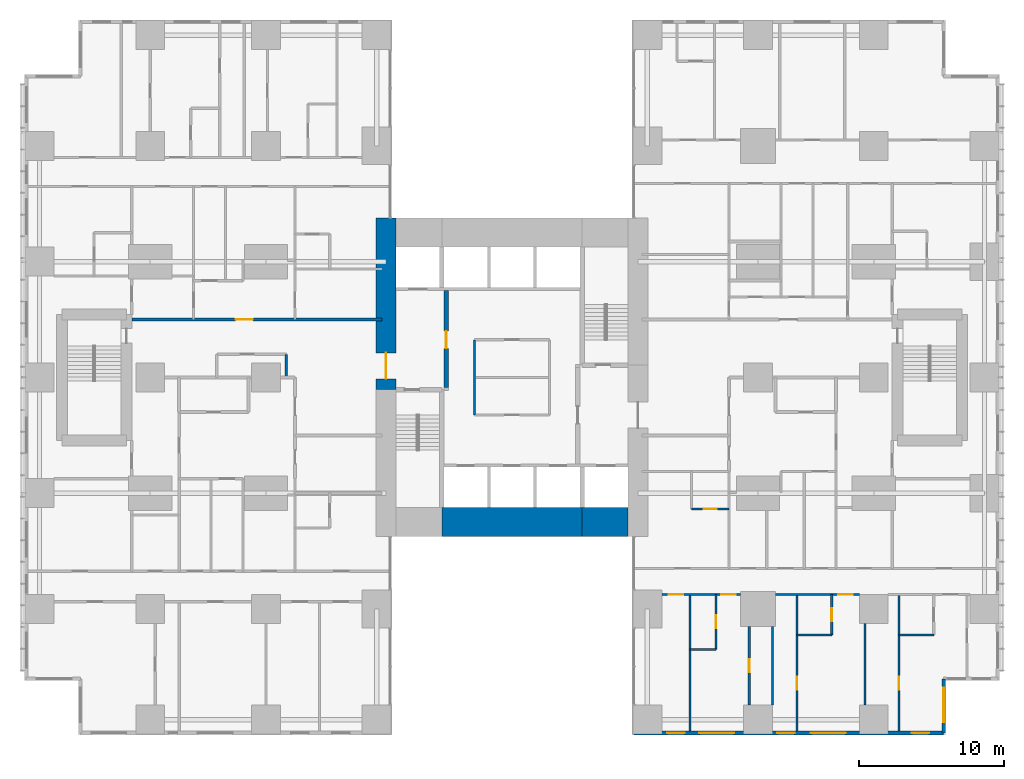
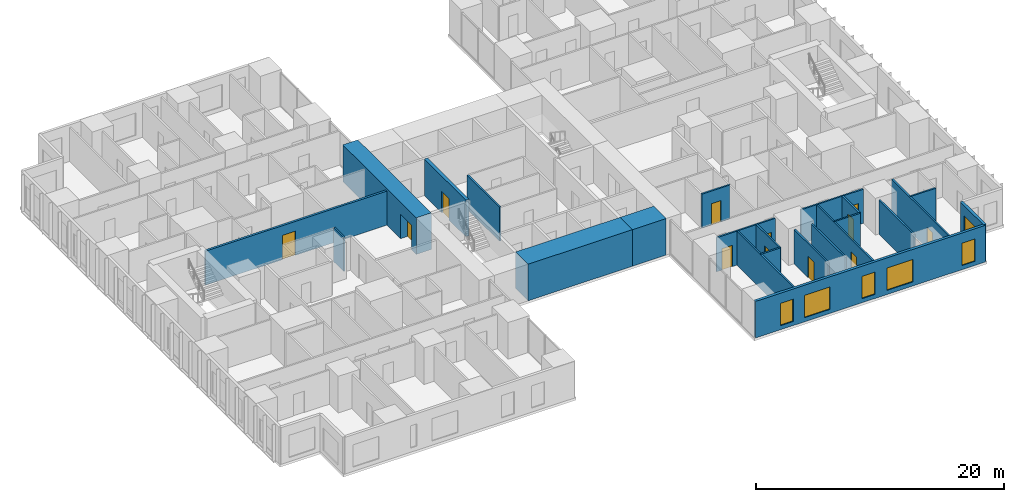
# One storey, part 14 of 21: 23 walls, 12 doors, 6 windows, 18 openings.
"""IFC4 building model written with IfcOpenShell, lengths in metres."""

from ifc_helpers import new_model, si_unit, direction, frame, frame_2d, origin, place, context, subcontext, project, spatial, rectangle, extrude, material, layer, layer_set, type_object, element, fill, save


model = new_model("IFC4")

# Units and contexts
model_context = context("Model", 3, precision=1e-05, world=origin(), true_north=direction((0.0, 1.0)))
body_context = subcontext(model_context, "Body", "Model", "MODEL_VIEW")
ifc_project = project(units=[si_unit("LENGTHUNIT", "METRE"), si_unit("AREAUNIT", "SQUARE_METRE"), si_unit("VOLUMEUNIT", "CUBIC_METRE"), si_unit("PLANEANGLEUNIT", "RADIAN"), si_unit("MASSUNIT", "GRAM", prefix="KILO")], contexts=[model_context])

# Site, building, storey
site_placement = place(None, origin())
site = spatial("IfcSite", under=ifc_project, at=site_placement, CompositionType="ELEMENT")
building_placement = place(site_placement, origin())
building = spatial("IfcBuilding", under=site, at=building_placement, Name="Cleftline Residences", CompositionType="ELEMENT")
storey_placement = place(building_placement, frame((0.0, 0.0, 128.60009765625)))
storey = spatial("IfcBuildingStorey", under=building, at=storey_placement, Name="L33", CompositionType="ELEMENT", Elevation=128.60009765625)

# Wall, opening, door
ifc_material_1 = material(Name="Concrete B70", Category="concrete")
ifc_layer_1 = layer(ifc_material_1, 1.39990234375)
ifc_layer_set_1 = layer_set([ifc_layer_1], Name="CORE WALL 1400")
wall_type_1 = type_object("IfcWallType", Name="CORE WALL 1400", PredefinedType="SHEAR", material=ifc_layer_set_1)
wall_1_placement = place(storey_placement, frame((24.300048828125, 23.14990234375, 0.0), z_axis=(0.0, 0.0, 1.0), x_axis=(0.0, 1.0, 0.0)))
wall_1 = element("IfcWall", 1, at=wall_1_placement, inside=storey, type_object=wall_type_1, Name="Core wall W", PredefinedType="SHEAR", context=body_context, shape_type="SweptSolid", body=[
    extrude(rectangle(XDim=11.85009765625, YDim=1.39990234375, at=frame_2d((5.925048828125, 0.0))), origin(), (0.0, 0.0, 1.0), 3.599853515625),
])
opening_1_placement = place(wall_1_placement, frame((0.75, 0.0, 0.0)))
opening_1 = element("IfcOpeningElement", 2, at=opening_1_placement, cuts=wall_1, Name="Opening D7", PredefinedType="OPENING", context=body_context, shape_type="SweptSolid", body=[
    extrude(rectangle(XDim=1.800048828125, YDim=2.39990234375, at=frame_2d((0.89990234375, 1.199951171875))), frame((0.0, 0.7099609375, 0.0), z_axis=(0.0, -1.0, 0.0), x_axis=(1.0, 0.0, 0.0)), (0.0, 0.0, 1.0), 1.419921875),
])
ifc_material_2 = material(Name="Steel", Category="steel")
door_type_1 = type_object("IfcDoorType", Name="WING DOOR 1800X2400", OperationType="DOUBLE_DOOR_DOUBLE_SWING", PredefinedType="DOOR", material=ifc_material_2)
door_1_placement = place(opening_1_placement, origin())
door_1 = element("IfcDoor", 3, at=door_1_placement, inside=storey, type_object=door_type_1, Name="West wing door", OperationType="DOUBLE_DOOR_DOUBLE_SWING", OverallHeight=2.39990234375, OverallWidth=1.800048828125, PredefinedType="DOOR", context=body_context, shape_type="SweptSolid", body=[
    extrude(rectangle(XDim=1.800048828125, YDim=2.39990234375, at=frame_2d((0.89990234375, 1.199951171875))), frame((0.0, 0.02490234375, 0.0), z_axis=(0.0, -1.0, 0.0), x_axis=(1.0, 0.0, 0.0)), (0.0, 0.0, 1.0), 0.050048828125),
])
fill(opening_1, door_1)

# Walls
ifc_material_3 = material(Name="Concrete B70", Category="concrete")
ifc_layer_2 = layer(ifc_material_3, 2.0)
ifc_layer_set_2 = layer_set([ifc_layer_2], Name="CORE WALL 2000")
wall_type_2 = type_object("IfcWallType", Name="CORE WALL 2000", PredefinedType="SHEAR", material=ifc_layer_set_2)
wall_2_placement = place(storey_placement, frame((28.14990234375, 14.0, 0.0), z_axis=(0.0, 0.0, 1.0), x_axis=(1.0, 0.0, 0.0)))
element("IfcWall", 4, at=wall_2_placement, inside=storey, type_object=wall_type_2, Name="Core wall S2", PredefinedType="SHEAR", context=body_context, shape_type="SweptSolid", body=[
    extrude(rectangle(XDim=9.7001953125, YDim=2.0, at=frame_2d((4.85009765625, 0.0))), origin(), (0.0, 0.0, 1.0), 3.599853515625),
])
wall_3_placement = place(storey_placement, frame((37.85009765625, 14.0, 0.0), z_axis=(0.0, 0.0, 1.0), x_axis=(1.0, 0.0, 0.0)))
element("IfcWall", 5, at=wall_3_placement, inside=storey, type_object=wall_type_2, Name="Core wall S3", PredefinedType="SHEAR", context=body_context, shape_type="SweptSolid", body=[
    extrude(rectangle(XDim=3.14990234375, YDim=2.0, at=frame_2d((1.574951171875, 0.0))), origin(), (0.0, 0.0, 1.0), 3.599853515625),
])

# Wall, openings, windows
ifc_material_4 = material(Name="Rendered reinforced concrete blockwork", Category="masonry")
ifc_layer_3 = layer(ifc_material_4, 0.25)
ifc_layer_set_3 = layer_set([ifc_layer_3], Name="EXTERNAL WALL 250")
wall_type_3 = type_object("IfcWallType", Name="EXTERNAL WALL 250", PredefinedType="SOLIDWALL", material=ifc_layer_set_3)
wall_4_placement = place(storey_placement, frame((41.425048828125, -0.574951171875, 0.0), z_axis=(0.0, 0.0, 1.0), x_axis=(1.0, 0.0, 0.0)))
wall_4 = element("IfcWall", 6, at=wall_4_placement, inside=storey, type_object=wall_type_3, Name="External wall", PredefinedType="SOLIDWALL", context=body_context, shape_type="SweptSolid", body=[
    extrude(rectangle(XDim=21.39990234375, YDim=0.25, at=frame_2d((10.699951171875, 0.0))), origin(), (0.0, 0.0, 1.0), 3.599853515625),
])
opening_2_placement = place(wall_4_placement, frame((2.300048828125, 0.0, 0.39990234375)))
opening_2 = element("IfcOpeningElement", 7, at=opening_2_placement, cuts=wall_4, Name="Opening W11", PredefinedType="OPENING", context=body_context, shape_type="SweptSolid", body=[
    extrude(rectangle(XDim=1.199951171875, YDim=2.199951171875, at=frame_2d((0.60009765625, 1.10009765625))), frame((0.0, 0.135009765625, 0.0), z_axis=(0.0, -1.0, 0.0), x_axis=(1.0, 0.0, 0.0)), (0.0, 0.0, 1.0), 0.27001953125),
])
opening_3_placement = place(wall_4_placement, frame((4.52490234375, 0.0, 0.39990234375)))
opening_3 = element("IfcOpeningElement", 8, at=opening_3_placement, cuts=wall_4, Name="Opening W12", PredefinedType="OPENING", context=body_context, shape_type="SweptSolid", body=[
    extrude(rectangle(XDim=2.39990234375, YDim=2.199951171875, at=frame_2d((1.199951171875, 1.10009765625))), frame((0.0, 0.135009765625, 0.0), z_axis=(0.0, -1.0, 0.0), x_axis=(1.0, 0.0, 0.0)), (0.0, 0.0, 1.0), 0.27001953125),
])
opening_4_placement = place(wall_4_placement, frame((9.89990234375, 0.0, 0.39990234375)))
opening_4 = element("IfcOpeningElement", 9, at=opening_4_placement, cuts=wall_4, Name="Opening W11", PredefinedType="OPENING", context=body_context, shape_type="SweptSolid", body=[
    extrude(rectangle(XDim=1.199951171875, YDim=2.199951171875, at=frame_2d((0.60009765625, 1.10009765625))), frame((0.0, 0.135009765625, 0.0), z_axis=(0.0, -1.0, 0.0), x_axis=(1.0, 0.0, 0.0)), (0.0, 0.0, 1.0), 0.27001953125),
])
opening_5_placement = place(wall_4_placement, frame((12.22509765625, 0.0, 0.39990234375)))
opening_5 = element("IfcOpeningElement", 10, at=opening_5_placement, cuts=wall_4, Name="Opening W12", PredefinedType="OPENING", context=body_context, shape_type="SweptSolid", body=[
    extrude(rectangle(XDim=2.39990234375, YDim=2.199951171875, at=frame_2d((1.199951171875, 1.10009765625))), frame((0.0, 0.135009765625, 0.0), z_axis=(0.0, -1.0, 0.0), x_axis=(1.0, 0.0, 0.0)), (0.0, 0.0, 1.0), 0.27001953125),
])
opening_6_placement = place(wall_4_placement, frame((19.199951171875, 0.0, 0.39990234375)))
opening_6 = element("IfcOpeningElement", 11, at=opening_6_placement, cuts=wall_4, Name="Opening W11", PredefinedType="OPENING", context=body_context, shape_type="SweptSolid", body=[
    extrude(rectangle(XDim=1.199951171875, YDim=2.199951171875, at=frame_2d((0.60009765625, 1.10009765625))), frame((0.0, 0.135009765625, 0.0), z_axis=(0.0, -1.0, 0.0), x_axis=(1.0, 0.0, 0.0)), (0.0, 0.0, 1.0), 0.27001953125),
])
ifc_material_5 = material(Name="Aluminium frame, clear double glazing", Category="aluminium")
window_type_1 = type_object("IfcWindowType", Name="WINDOW 1200X2200", PartitioningType="DOUBLE_PANEL_VERTICAL", PredefinedType="WINDOW", material=ifc_material_5)
window_1_placement = place(opening_2_placement, origin())
window_1 = element("IfcWindow", 12, at=window_1_placement, inside=storey, type_object=window_type_1, Name="Window", OverallHeight=2.199951171875, OverallWidth=1.199951171875, PartitioningType="SINGLE_PANEL", PredefinedType="WINDOW", context=body_context, shape_type="SweptSolid", body=[
    extrude(rectangle(XDim=1.199951171875, YDim=2.199951171875, at=frame_2d((0.60009765625, 1.10009765625))), frame((0.0, 0.030029296875, 0.0), z_axis=(0.0, -1.0, 0.0), x_axis=(1.0, 0.0, 0.0)), (0.0, 0.0, 1.0), 0.06005859375),
])
fill(opening_2, window_1)
window_2_placement = place(opening_4_placement, origin())
window_2 = element("IfcWindow", 13, at=window_2_placement, inside=storey, type_object=window_type_1, Name="Window", OverallHeight=2.199951171875, OverallWidth=1.199951171875, PartitioningType="SINGLE_PANEL", PredefinedType="WINDOW", context=body_context, shape_type="SweptSolid", body=[
    extrude(rectangle(XDim=1.199951171875, YDim=2.199951171875, at=frame_2d((0.60009765625, 1.10009765625))), frame((0.0, 0.030029296875, 0.0), z_axis=(0.0, -1.0, 0.0), x_axis=(1.0, 0.0, 0.0)), (0.0, 0.0, 1.0), 0.06005859375),
])
fill(opening_4, window_2)
window_3_placement = place(opening_6_placement, origin())
window_3 = element("IfcWindow", 14, at=window_3_placement, inside=storey, type_object=window_type_1, Name="Window", OverallHeight=2.199951171875, OverallWidth=1.199951171875, PartitioningType="SINGLE_PANEL", PredefinedType="WINDOW", context=body_context, shape_type="SweptSolid", body=[
    extrude(rectangle(XDim=1.199951171875, YDim=2.199951171875, at=frame_2d((0.60009765625, 1.10009765625))), frame((0.0, 0.030029296875, 0.0), z_axis=(0.0, -1.0, 0.0), x_axis=(1.0, 0.0, 0.0)), (0.0, 0.0, 1.0), 0.06005859375),
])
fill(opening_6, window_3)
ifc_material_6 = material(Name="Aluminium frame, clear double glazing", Category="aluminium")
window_type_2 = type_object("IfcWindowType", Name="WINDOW 2400X2200", PartitioningType="DOUBLE_PANEL_VERTICAL", PredefinedType="WINDOW", material=ifc_material_6)
window_4_placement = place(opening_3_placement, origin())
window_4 = element("IfcWindow", 15, at=window_4_placement, inside=storey, type_object=window_type_2, Name="Window", OverallHeight=2.199951171875, OverallWidth=2.39990234375, PartitioningType="SINGLE_PANEL", PredefinedType="WINDOW", context=body_context, shape_type="SweptSolid", body=[
    extrude(rectangle(XDim=2.39990234375, YDim=2.199951171875, at=frame_2d((1.199951171875, 1.10009765625))), frame((0.0, 0.030029296875, 0.0), z_axis=(0.0, -1.0, 0.0), x_axis=(1.0, 0.0, 0.0)), (0.0, 0.0, 1.0), 0.06005859375),
])
fill(opening_3, window_4)
window_5_placement = place(opening_5_placement, origin())
window_5 = element("IfcWindow", 16, at=window_5_placement, inside=storey, type_object=window_type_2, Name="Window", OverallHeight=2.199951171875, OverallWidth=2.39990234375, PartitioningType="SINGLE_PANEL", PredefinedType="WINDOW", context=body_context, shape_type="SweptSolid", body=[
    extrude(rectangle(XDim=2.39990234375, YDim=2.199951171875, at=frame_2d((1.199951171875, 1.10009765625))), frame((0.0, 0.030029296875, 0.0), z_axis=(0.0, -1.0, 0.0), x_axis=(1.0, 0.0, 0.0)), (0.0, 0.0, 1.0), 0.06005859375),
])
fill(opening_5, window_5)

# Wall, opening, window
wall_5_placement = place(storey_placement, frame((62.824951171875, -0.574951171875, 0.0), z_axis=(0.0, 0.0, 1.0), x_axis=(0.0, 1.0, 0.0)))
wall_5 = element("IfcWall", 17, at=wall_5_placement, inside=storey, type_object=wall_type_3, Name="External wall", PredefinedType="SOLIDWALL", context=body_context, shape_type="SweptSolid", body=[
    extrude(rectangle(XDim=3.75, YDim=0.25, at=frame_2d((1.875, 0.0))), origin(), (0.0, 0.0, 1.0), 3.599853515625),
])
opening_7_placement = place(wall_5_placement, frame((0.737548828125, 0.0, 0.39990234375)))
opening_7 = element("IfcOpeningElement", 18, at=opening_7_placement, cuts=wall_5, Name="Opening W12", PredefinedType="OPENING", context=body_context, shape_type="SweptSolid", body=[
    extrude(rectangle(XDim=2.39990234375, YDim=2.199951171875, at=frame_2d((1.199951171875, 1.10009765625))), frame((0.0, 0.135009765625, 0.0), z_axis=(0.0, -1.0, 0.0), x_axis=(1.0, 0.0, 0.0)), (0.0, 0.0, 1.0), 0.27001953125),
])
window_6_placement = place(opening_7_placement, origin())
window_6 = element("IfcWindow", 19, at=window_6_placement, inside=storey, type_object=window_type_2, Name="Window", OverallHeight=2.199951171875, OverallWidth=2.39990234375, PartitioningType="SINGLE_PANEL", PredefinedType="WINDOW", context=body_context, shape_type="SweptSolid", body=[
    extrude(rectangle(XDim=2.39990234375, YDim=2.199951171875, at=frame_2d((1.199951171875, 1.10009765625))), frame((0.0, 0.030029296875, 0.0), z_axis=(0.0, -1.0, 0.0), x_axis=(1.0, 0.0, 0.0)), (0.0, 0.0, 1.0), 0.06005859375),
])
fill(opening_7, window_6)

# Wall, opening, door
ifc_material_7 = material(Name="Concrete blockwork, fire rated", Category="masonry")
ifc_layer_4 = layer(ifc_material_7, 0.199951171875)
ifc_layer_set_4 = layer_set([ifc_layer_4], Name="FIRE WALL 200")
wall_type_4 = type_object("IfcWallType", Name="FIRE WALL 200", PredefinedType="PARTITIONING", material=ifc_layer_set_4)
wall_6_placement = place(storey_placement, frame((6.72509765625, 28.0, 0.0), z_axis=(0.0, 0.0, 1.0), x_axis=(1.0, 0.0, 0.0)))
wall_6 = element("IfcWall", 20, at=wall_6_placement, inside=storey, type_object=wall_type_4, Name="Fire separating wall", PredefinedType="PARTITIONING", context=body_context, shape_type="SweptSolid", body=[
    extrude(rectangle(XDim=17.27490234375, YDim=0.199951171875, at=frame_2d((8.637451171875, 0.0))), origin(), (0.0, 0.0, 1.0), 3.349853515625),
])
opening_8_placement = place(wall_6_placement, frame((7.175048828125, 0.0, 0.0)))
opening_8 = element("IfcOpeningElement", 21, at=opening_8_placement, cuts=wall_6, Name="Opening D4", PredefinedType="OPENING", context=body_context, shape_type="SweptSolid", body=[
    extrude(rectangle(XDim=1.199951171875, YDim=2.39990234375, at=frame_2d((0.60009765625, 1.199951171875))), frame((0.0, 0.10986328125, 0.0), z_axis=(0.0, -1.0, 0.0), x_axis=(1.0, 0.0, 0.0)), (0.0, 0.0, 1.0), 0.219970703125),
])
ifc_material_8 = material(Name="Timber veneer on solid core", Category="wood")
door_type_2 = type_object("IfcDoorType", Name="APARTMENT ENTRANCE DOOR 1200X2400", OperationType="SINGLE_SWING_RIGHT", PredefinedType="DOOR", material=ifc_material_8)
door_2_placement = place(opening_8_placement, origin())
door_2 = element("IfcDoor", 22, at=door_2_placement, inside=storey, type_object=door_type_2, Name="Door to residence entrance (gallery)", OperationType="SINGLE_SWING_RIGHT", OverallHeight=2.39990234375, OverallWidth=1.199951171875, PredefinedType="DOOR", context=body_context, shape_type="SweptSolid", body=[
    extrude(rectangle(XDim=1.199951171875, YDim=2.39990234375, at=frame_2d((0.60009765625, 1.199951171875))), frame((0.0, 0.02490234375, 0.0), z_axis=(0.0, -1.0, 0.0), x_axis=(1.0, 0.0, 0.0)), (0.0, 0.0, 1.0), 0.050048828125),
])
fill(opening_8, door_2)

# Walls
ifc_material_9 = material(Name="Gypsum board on steel studs", Category="steel")
ifc_layer_5 = layer(ifc_material_9, 0.14990234375)
ifc_layer_set_5 = layer_set([ifc_layer_5], Name="PARTITION 150")
wall_type_5 = type_object("IfcWallType", Name="PARTITION 150", PredefinedType="PARTITIONING", material=ifc_layer_set_5)
wall_7_placement = place(storey_placement, frame((45.300048828125, 5.199951171875, 0.0), z_axis=(0.0, 0.0, 1.0), x_axis=(1.0, 0.0, 0.0)))
element("IfcWall", 23, at=wall_7_placement, inside=storey, type_object=wall_type_5, Name="Partition", PredefinedType="PARTITIONING", context=body_context, shape_type="SweptSolid", body=[
    extrude(rectangle(XDim=1.800048828125, YDim=0.14990234375, at=frame_2d((0.89990234375, 0.0))), origin(), (0.0, 0.0, 1.0), 3.349853515625),
])
wall_8_placement = place(storey_placement, frame((52.699951171875, 6.199951171875, 0.0), z_axis=(0.0, 0.0, 1.0), x_axis=(1.0, 0.0, 0.0)))
element("IfcWall", 24, at=wall_8_placement, inside=storey, type_object=wall_type_5, Name="Partition", PredefinedType="PARTITIONING", context=body_context, shape_type="SweptSolid", body=[
    extrude(rectangle(XDim=2.400146484375, YDim=0.14990234375, at=frame_2d((1.2001953125, 0.0))), origin(), (0.0, 0.0, 1.0), 3.349853515625),
])
wall_9_placement = place(storey_placement, frame((59.75, 6.199951171875, 0.0), z_axis=(0.0, 0.0, 1.0), x_axis=(1.0, 0.0, 0.0)))
element("IfcWall", 25, at=wall_9_placement, inside=storey, type_object=wall_type_5, Name="Partition", PredefinedType="PARTITIONING", context=body_context, shape_type="SweptSolid", body=[
    extrude(rectangle(XDim=2.39990234375, YDim=0.14990234375, at=frame_2d((1.199951171875, 0.0))), origin(), (0.0, 0.0, 1.0), 3.349853515625),
])

# Wall, openings, doors
wall_10_placement = place(storey_placement, frame((43.35009765625, 9.0, 0.0), z_axis=(0.0, 0.0, 1.0), x_axis=(1.0, 0.0, 0.0)))
wall_10 = element("IfcWall", 26, at=wall_10_placement, inside=storey, type_object=wall_type_5, Name="Partition", PredefinedType="PARTITIONING", context=body_context, shape_type="SweptSolid", body=[
    extrude(rectangle(XDim=5.449951171875, YDim=0.14990234375, at=frame_2d((2.72509765625, 0.0))), origin(), (0.0, 0.0, 1.0), 3.349853515625),
])
opening_9_placement = place(wall_10_placement, frame((4.10009765625, 0.0, 0.0)))
opening_9 = element("IfcOpeningElement", 27, at=opening_9_placement, cuts=wall_10, Name="Opening D2", PredefinedType="OPENING", context=body_context, shape_type="SweptSolid", body=[
    extrude(rectangle(XDim=1.0, YDim=2.10009765625, at=frame_2d((0.5, 1.050048828125))), frame((0.0, 0.0849609375, 0.0), z_axis=(0.0, -1.0, 0.0), x_axis=(1.0, 0.0, 0.0)), (0.0, 0.0, 1.0), 0.169921875),
])
opening_10_placement = place(wall_10_placement, frame((0.47509765625, 0.0, 0.0)))
opening_10 = element("IfcOpeningElement", 28, at=opening_10_placement, cuts=wall_10, Name="Opening D2", PredefinedType="OPENING", context=body_context, shape_type="SweptSolid", body=[
    extrude(rectangle(XDim=1.0, YDim=2.10009765625, at=frame_2d((0.5, 1.050048828125))), frame((0.0, 0.0849609375, 0.0), z_axis=(0.0, -1.0, 0.0), x_axis=(1.0, 0.0, 0.0)), (0.0, 0.0, 1.0), 0.169921875),
])
ifc_material_10 = material(Name="Timber veneer on solid core", Category="wood")
door_type_3 = type_object("IfcDoorType", Name="DOOR 1000X2100", OperationType="SINGLE_SWING_LEFT", PredefinedType="DOOR", material=ifc_material_10)
door_3_placement = place(opening_9_placement, origin())
door_3 = element("IfcDoor", 29, at=door_3_placement, inside=storey, type_object=door_type_3, Name="Door to bedroom 4", OperationType="SINGLE_SWING_LEFT", OverallHeight=2.10009765625, OverallWidth=1.0, PredefinedType="DOOR", context=body_context, shape_type="SweptSolid", body=[
    extrude(rectangle(XDim=1.0, YDim=2.10009765625, at=frame_2d((0.5, 1.050048828125))), frame((0.0, 0.02490234375, 0.0), z_axis=(0.0, -1.0, 0.0), x_axis=(1.0, 0.0, 0.0)), (0.0, 0.0, 1.0), 0.050048828125),
])
fill(opening_9, door_3)
door_4_placement = place(opening_10_placement, origin())
door_4 = element("IfcDoor", 30, at=door_4_placement, inside=storey, type_object=door_type_3, Name="Door to family room", OperationType="SINGLE_SWING_RIGHT", OverallHeight=2.10009765625, OverallWidth=1.0, PredefinedType="DOOR", context=body_context, shape_type="SweptSolid", body=[
    extrude(rectangle(XDim=1.0, YDim=2.10009765625, at=frame_2d((0.5, 1.050048828125))), frame((0.0, 0.02490234375, 0.0), z_axis=(0.0, -1.0, 0.0), x_axis=(1.0, 0.0, 0.0)), (0.0, 0.0, 1.0), 0.050048828125),
])
fill(opening_10, door_4)

# Wall, opening, door
wall_11_placement = place(storey_placement, frame((51.199951171875, 9.0, 0.0), z_axis=(0.0, 0.0, 1.0), x_axis=(1.0, 0.0, 0.0)))
wall_11 = element("IfcWall", 31, at=wall_11_placement, inside=storey, type_object=wall_type_5, Name="Partition", PredefinedType="PARTITIONING", context=body_context, shape_type="SweptSolid", body=[
    extrude(rectangle(XDim=5.800048828125, YDim=0.14990234375, at=frame_2d((2.89990234375, 0.0))), origin(), (0.0, 0.0, 1.0), 3.349853515625),
])
opening_11_placement = place(wall_11_placement, frame((4.35009765625, 0.0, 0.0)))
opening_11 = element("IfcOpeningElement", 32, at=opening_11_placement, cuts=wall_11, Name="Opening D2", PredefinedType="OPENING", context=body_context, shape_type="SweptSolid", body=[
    extrude(rectangle(XDim=1.0, YDim=2.10009765625, at=frame_2d((0.5, 1.050048828125))), frame((0.0, 0.0849609375, 0.0), z_axis=(0.0, -1.0, 0.0), x_axis=(1.0, 0.0, 0.0)), (0.0, 0.0, 1.0), 0.169921875),
])
door_5_placement = place(opening_11_placement, origin())
door_5 = element("IfcDoor", 33, at=door_5_placement, inside=storey, type_object=door_type_3, Name="Door to bedroom 3", OperationType="SINGLE_SWING_LEFT", OverallHeight=2.10009765625, OverallWidth=1.0, PredefinedType="DOOR", context=body_context, shape_type="SweptSolid", body=[
    extrude(rectangle(XDim=1.0, YDim=2.10009765625, at=frame_2d((0.5, 1.050048828125))), frame((0.0, 0.02490234375, 0.0), z_axis=(0.0, -1.0, 0.0), x_axis=(1.0, 0.0, 0.0)), (0.0, 0.0, 1.0), 0.050048828125),
])
fill(opening_11, door_5)

wall_12_placement = place(storey_placement, frame((45.39990234375, 14.89990234375, 0.0), z_axis=(0.0, 0.0, 1.0), x_axis=(1.0, 0.0, 0.0)))
wall_12 = element("IfcWall", 34, at=wall_12_placement, inside=storey, type_object=wall_type_5, Name="Partition", PredefinedType="PARTITIONING", context=body_context, shape_type="SweptSolid", body=[
    extrude(rectangle(XDim=2.60009765625, YDim=0.14990234375, at=frame_2d((1.300048828125, 0.0))), origin(), (0.0, 0.0, 1.0), 3.349853515625),
])
opening_12_placement = place(wall_12_placement, frame((0.85009765625, 0.0, 0.0)))
opening_12 = element("IfcOpeningElement", 35, at=opening_12_placement, cuts=wall_12, Name="Opening D1", PredefinedType="OPENING", context=body_context, shape_type="SweptSolid", body=[
    extrude(rectangle(XDim=0.89990234375, YDim=2.10009765625, at=frame_2d((0.449951171875, 1.050048828125))), frame((0.0, 0.0849609375, 0.0), z_axis=(0.0, -1.0, 0.0), x_axis=(1.0, 0.0, 0.0)), (0.0, 0.0, 1.0), 0.169921875),
])
ifc_material_11 = material(Name="Timber veneer on solid core", Category="wood")
door_type_4 = type_object("IfcDoorType", Name="DOOR 900X2100", OperationType="SINGLE_SWING_LEFT", PredefinedType="DOOR", material=ifc_material_11)
door_6_placement = place(opening_12_placement, origin())
door_6 = element("IfcDoor", 36, at=door_6_placement, inside=storey, type_object=door_type_4, Name="Door to master bathroom", OperationType="SINGLE_SWING_LEFT", OverallHeight=2.10009765625, OverallWidth=0.89990234375, PredefinedType="DOOR", context=body_context, shape_type="SweptSolid", body=[
    extrude(rectangle(XDim=0.89990234375, YDim=2.10009765625, at=frame_2d((0.449951171875, 1.050048828125))), frame((0.0, 0.02490234375, 0.0), z_axis=(0.0, -1.0, 0.0), x_axis=(1.0, 0.0, 0.0)), (0.0, 0.0, 1.0), 0.050048828125),
])
fill(opening_12, door_6)

# Walls
wall_13_placement = place(storey_placement, frame((17.39990234375, 24.0, 0.0), z_axis=(0.0, 0.0, 1.0), x_axis=(0.0, 1.0, 0.0)))
element("IfcWall", 37, at=wall_13_placement, inside=storey, type_object=wall_type_5, Name="Partition", PredefinedType="PARTITIONING", context=body_context, shape_type="SweptSolid", body=[
    extrude(rectangle(XDim=1.60009765625, YDim=0.14990234375, at=frame_2d((0.800048828125, 0.0))), origin(), (0.0, 0.0, 1.0), 3.349853515625),
])
wall_14_placement = place(storey_placement, frame((45.300048828125, -0.449951171875, 0.0), z_axis=(0.0, 0.0, 1.0), x_axis=(0.0, 1.0, 0.0)))
element("IfcWall", 38, at=wall_14_placement, inside=storey, type_object=wall_type_5, Name="Partition", PredefinedType="PARTITIONING", context=body_context, shape_type="SweptSolid", body=[
    extrude(rectangle(XDim=9.449951171875, YDim=0.14990234375, at=frame_2d((4.72509765625, 0.0))), origin(), (0.0, 0.0, 1.0), 3.349853515625),
])

# Wall, opening, door
wall_15_placement = place(storey_placement, frame((47.10009765625, 5.199951171875, 0.0), z_axis=(0.0, 0.0, 1.0), x_axis=(0.0, 1.0, 0.0)))
wall_15 = element("IfcWall", 39, at=wall_15_placement, inside=storey, type_object=wall_type_5, Name="Partition", PredefinedType="PARTITIONING", context=body_context, shape_type="SweptSolid", body=[
    extrude(rectangle(XDim=3.800048828125, YDim=0.14990234375, at=frame_2d((1.89990234375, 0.0))), origin(), (0.0, 0.0, 1.0), 3.349853515625),
])
opening_13_placement = place(wall_15_placement, frame((1.449951171875, 0.0, 0.0)))
opening_13 = element("IfcOpeningElement", 40, at=opening_13_placement, cuts=wall_15, Name="Opening D1", PredefinedType="OPENING", context=body_context, shape_type="SweptSolid", body=[
    extrude(rectangle(XDim=0.89990234375, YDim=2.10009765625, at=frame_2d((0.449951171875, 1.050048828125))), frame((0.0, 0.0849609375, 0.0), z_axis=(0.0, -1.0, 0.0), x_axis=(1.0, 0.0, 0.0)), (0.0, 0.0, 1.0), 0.169921875),
])
door_7_placement = place(opening_13_placement, origin())
door_7 = element("IfcDoor", 41, at=door_7_placement, inside=storey, type_object=door_type_4, Name="Door to en-suite bathroom 4", OperationType="SINGLE_SWING_LEFT", OverallHeight=2.10009765625, OverallWidth=0.89990234375, PredefinedType="DOOR", context=body_context, shape_type="SweptSolid", body=[
    extrude(rectangle(XDim=0.89990234375, YDim=2.10009765625, at=frame_2d((0.449951171875, 1.050048828125))), frame((0.0, 0.02490234375, 0.0), z_axis=(0.0, -1.0, 0.0), x_axis=(1.0, 0.0, 0.0)), (0.0, 0.0, 1.0), 0.050048828125),
])
fill(opening_13, door_7)

wall_16_placement = place(storey_placement, frame((49.39990234375, 1.35009765625, 0.0), z_axis=(0.0, 0.0, 1.0), x_axis=(0.0, 1.0, 0.0)))
wall_16 = element("IfcWall", 42, at=wall_16_placement, inside=storey, type_object=wall_type_5, Name="Partition", PredefinedType="PARTITIONING", context=body_context, shape_type="SweptSolid", body=[
    extrude(rectangle(XDim=5.449951171875, YDim=0.14990234375, at=frame_2d((2.72509765625, 0.0))), origin(), (0.0, 0.0, 1.0), 3.349853515625),
])
opening_14_placement = place(wall_16_placement, frame((2.27490234375, 0.0, 0.0)))
opening_14 = element("IfcOpeningElement", 43, at=opening_14_placement, cuts=wall_16, Name="Opening D1", PredefinedType="OPENING", context=body_context, shape_type="SweptSolid", body=[
    extrude(rectangle(XDim=0.89990234375, YDim=2.10009765625, at=frame_2d((0.449951171875, 1.050048828125))), frame((0.0, 0.0849609375, 0.0), z_axis=(0.0, -1.0, 0.0), x_axis=(1.0, 0.0, 0.0)), (0.0, 0.0, 1.0), 0.169921875),
])
door_8_placement = place(opening_14_placement, origin())
door_8 = element("IfcDoor", 44, at=door_8_placement, inside=storey, type_object=door_type_4, Name="Door to walk-in wardrobe", OperationType="SINGLE_SWING_LEFT", OverallHeight=2.10009765625, OverallWidth=0.89990234375, PredefinedType="DOOR", context=body_context, shape_type="SweptSolid", body=[
    extrude(rectangle(XDim=0.89990234375, YDim=2.10009765625, at=frame_2d((0.449951171875, 1.050048828125))), frame((0.0, 0.02490234375, 0.0), z_axis=(0.0, -1.0, 0.0), x_axis=(1.0, 0.0, 0.0)), (0.0, 0.0, 1.0), 0.050048828125),
])
fill(opening_14, door_8)

# Wall
wall_17_placement = place(storey_placement, frame((51.0, 1.35009765625, 0.0), z_axis=(0.0, 0.0, 1.0), x_axis=(0.0, 1.0, 0.0)))
element("IfcWall", 45, at=wall_17_placement, inside=storey, type_object=wall_type_5, Name="Partition", PredefinedType="PARTITIONING", context=body_context, shape_type="SweptSolid", body=[
    extrude(rectangle(XDim=5.449951171875, YDim=0.14990234375, at=frame_2d((2.72509765625, 0.0))), origin(), (0.0, 0.0, 1.0), 3.349853515625),
])

# Wall, opening, door
wall_18_placement = place(storey_placement, frame((52.699951171875, -0.449951171875, 0.0), z_axis=(0.0, 0.0, 1.0), x_axis=(0.0, 1.0, 0.0)))
wall_18 = element("IfcWall", 46, at=wall_18_placement, inside=storey, type_object=wall_type_5, Name="Partition", PredefinedType="PARTITIONING", context=body_context, shape_type="SweptSolid", body=[
    extrude(rectangle(XDim=9.449951171875, YDim=0.14990234375, at=frame_2d((4.72509765625, 0.0))), origin(), (0.0, 0.0, 1.0), 3.349853515625),
])
opening_15_placement = place(wall_18_placement, frame((2.875, 0.0, 0.0)))
opening_15 = element("IfcOpeningElement", 47, at=opening_15_placement, cuts=wall_18, Name="Opening D1", PredefinedType="OPENING", context=body_context, shape_type="SweptSolid", body=[
    extrude(rectangle(XDim=0.89990234375, YDim=2.10009765625, at=frame_2d((0.449951171875, 1.050048828125))), frame((0.0, 0.0849609375, 0.0), z_axis=(0.0, -1.0, 0.0), x_axis=(1.0, 0.0, 0.0)), (0.0, 0.0, 1.0), 0.169921875),
])
door_9_placement = place(opening_15_placement, origin())
door_9 = element("IfcDoor", 48, at=door_9_placement, inside=storey, type_object=door_type_4, Name="Door to walk-in wardrobe", OperationType="SINGLE_SWING_RIGHT", OverallHeight=2.10009765625, OverallWidth=0.89990234375, PredefinedType="DOOR", context=body_context, shape_type="SweptSolid", body=[
    extrude(rectangle(XDim=0.89990234375, YDim=2.10009765625, at=frame_2d((0.449951171875, 1.050048828125))), frame((0.0, 0.02490234375, 0.0), z_axis=(0.0, -1.0, 0.0), x_axis=(1.0, 0.0, 0.0)), (0.0, 0.0, 1.0), 0.050048828125),
])
fill(opening_15, door_9)

wall_19_placement = place(storey_placement, frame((55.10009765625, 6.199951171875, 0.0), z_axis=(0.0, 0.0, 1.0), x_axis=(0.0, 1.0, 0.0)))
wall_19 = element("IfcWall", 49, at=wall_19_placement, inside=storey, type_object=wall_type_5, Name="Partition", PredefinedType="PARTITIONING", context=body_context, shape_type="SweptSolid", body=[
    extrude(rectangle(XDim=2.800048828125, YDim=0.14990234375, at=frame_2d((1.39990234375, 0.0))), origin(), (0.0, 0.0, 1.0), 3.349853515625),
])
opening_16_placement = place(wall_19_placement, frame((0.949951171875, 0.0, 0.0)))
opening_16 = element("IfcOpeningElement", 50, at=opening_16_placement, cuts=wall_19, Name="Opening D1", PredefinedType="OPENING", context=body_context, shape_type="SweptSolid", body=[
    extrude(rectangle(XDim=0.89990234375, YDim=2.10009765625, at=frame_2d((0.449951171875, 1.050048828125))), frame((0.0, 0.0849609375, 0.0), z_axis=(0.0, -1.0, 0.0), x_axis=(1.0, 0.0, 0.0)), (0.0, 0.0, 1.0), 0.169921875),
])
door_10_placement = place(opening_16_placement, origin())
door_10 = element("IfcDoor", 51, at=door_10_placement, inside=storey, type_object=door_type_4, Name="Door to en-suite bathroom 3", OperationType="SINGLE_SWING_LEFT", OverallHeight=2.10009765625, OverallWidth=0.89990234375, PredefinedType="DOOR", context=body_context, shape_type="SweptSolid", body=[
    extrude(rectangle(XDim=0.89990234375, YDim=2.10009765625, at=frame_2d((0.449951171875, 1.050048828125))), frame((0.0, 0.02490234375, 0.0), z_axis=(0.0, -1.0, 0.0), x_axis=(1.0, 0.0, 0.0)), (0.0, 0.0, 1.0), 0.050048828125),
])
fill(opening_16, door_10)

# Wall
wall_20_placement = place(storey_placement, frame((57.39990234375, 1.35009765625, 0.0), z_axis=(0.0, 0.0, 1.0), x_axis=(0.0, 1.0, 0.0)))
element("IfcWall", 52, at=wall_20_placement, inside=storey, type_object=wall_type_5, Name="Partition", PredefinedType="PARTITIONING", context=body_context, shape_type="SweptSolid", body=[
    extrude(rectangle(XDim=5.64990234375, YDim=0.14990234375, at=frame_2d((2.824951171875, 0.0))), origin(), (0.0, 0.0, 1.0), 3.349853515625),
])

# Wall, opening, door
wall_21_placement = place(storey_placement, frame((59.75, -0.449951171875, 0.0), z_axis=(0.0, 0.0, 1.0), x_axis=(0.0, 1.0, 0.0)))
wall_21 = element("IfcWall", 53, at=wall_21_placement, inside=storey, type_object=wall_type_5, Name="Partition", PredefinedType="PARTITIONING", context=body_context, shape_type="SweptSolid", body=[
    extrude(rectangle(XDim=9.449951171875, YDim=0.14990234375, at=frame_2d((4.72509765625, 0.0))), origin(), (0.0, 0.0, 1.0), 3.349853515625),
])
opening_17_placement = place(wall_21_placement, frame((2.875, 0.0, 0.0)))
opening_17 = element("IfcOpeningElement", 54, at=opening_17_placement, cuts=wall_21, Name="Opening D1", PredefinedType="OPENING", context=body_context, shape_type="SweptSolid", body=[
    extrude(rectangle(XDim=0.89990234375, YDim=2.10009765625, at=frame_2d((0.449951171875, 1.050048828125))), frame((0.0, 0.0849609375, 0.0), z_axis=(0.0, -1.0, 0.0), x_axis=(1.0, 0.0, 0.0)), (0.0, 0.0, 1.0), 0.169921875),
])
door_11_placement = place(opening_17_placement, origin())
door_11 = element("IfcDoor", 55, at=door_11_placement, inside=storey, type_object=door_type_4, Name="Door to walk-in wardrobe", OperationType="SINGLE_SWING_RIGHT", OverallHeight=2.10009765625, OverallWidth=0.89990234375, PredefinedType="DOOR", context=body_context, shape_type="SweptSolid", body=[
    extrude(rectangle(XDim=0.89990234375, YDim=2.10009765625, at=frame_2d((0.449951171875, 1.050048828125))), frame((0.0, 0.02490234375, 0.0), z_axis=(0.0, -1.0, 0.0), x_axis=(1.0, 0.0, 0.0)), (0.0, 0.0, 1.0), 0.050048828125),
])
fill(opening_17, door_11)

# Wall
ifc_material_12 = material(Name="Fire-resisting gypsum board on steel studs", Category="steel")
ifc_layer_6 = layer(ifc_material_12, 0.14990234375)
ifc_layer_set_6 = layer_set([ifc_layer_6], Name="PARTITION 150 EI 60")
wall_type_6 = type_object("IfcWallType", Name="PARTITION 150 EI 60", PredefinedType="PARTITIONING", material=ifc_layer_set_6)
wall_22_placement = place(storey_placement, frame((30.39990234375, 21.39990234375, 0.0), z_axis=(0.0, 0.0, 1.0), x_axis=(0.0, 1.0, 0.0)))
element("IfcWall", 56, at=wall_22_placement, inside=storey, type_object=wall_type_6, Name="Core room partition", PredefinedType="PARTITIONING", context=body_context, shape_type="SweptSolid", body=[
    extrude(rectangle(XDim=5.2001953125, YDim=0.14990234375, at=frame_2d((2.60009765625, 0.0))), origin(), (0.0, 0.0, 1.0), 3.349853515625),
])

# Wall, opening, door
ifc_material_13 = material(Name="Concrete blockwork, fire rated", Category="masonry")
ifc_layer_7 = layer(ifc_material_13, 0.300048828125)
ifc_layer_set_7 = layer_set([ifc_layer_7], Name="STAIR LOBBY WALL 300")
wall_type_7 = type_object("IfcWallType", Name="STAIR LOBBY WALL 300", PredefinedType="PARTITIONING", material=ifc_layer_set_7)
wall_23_placement = place(storey_placement, frame((28.449951171875, 23.300048828125, 0.0), z_axis=(0.0, 0.0, 1.0), x_axis=(0.0, 1.0, 0.0)))
wall_23 = element("IfcWall", 57, at=wall_23_placement, inside=storey, type_object=wall_type_7, Name="Stair and lobby wall FA-E", PredefinedType="PARTITIONING", context=body_context, shape_type="SweptSolid", body=[
    extrude(rectangle(XDim=6.699951171875, YDim=0.300048828125, at=frame_2d((3.35009765625, 0.0))), origin(), (0.0, 0.0, 1.0), 3.599853515625),
])
opening_18_placement = place(wall_23_placement, frame((2.699951171875, 0.0, 0.0)))
opening_18 = element("IfcOpeningElement", 58, at=opening_18_placement, cuts=wall_23, Name="Opening D6", PredefinedType="OPENING", context=body_context, shape_type="SweptSolid", body=[
    extrude(rectangle(XDim=1.199951171875, YDim=2.10009765625, at=frame_2d((0.60009765625, 1.050048828125))), frame((0.0, 0.159912109375, 0.0), z_axis=(0.0, -1.0, 0.0), x_axis=(1.0, 0.0, 0.0)), (0.0, 0.0, 1.0), 0.320068359375),
])
ifc_material_14 = material(Name="Steel", Category="steel")
door_type_5 = type_object("IfcDoorType", Name="LOBBY DOOR 1200X2100", OperationType="SINGLE_SWING_RIGHT", PredefinedType="DOOR", material=ifc_material_14)
door_12_placement = place(opening_18_placement, origin())
door_12 = element("IfcDoor", 59, at=door_12_placement, inside=storey, type_object=door_type_5, Name="Firefighting lobby A door", OperationType="SINGLE_SWING_RIGHT", OverallHeight=2.10009765625, OverallWidth=1.199951171875, PredefinedType="DOOR", context=body_context, shape_type="SweptSolid", body=[
    extrude(rectangle(XDim=1.199951171875, YDim=2.10009765625, at=frame_2d((0.60009765625, 1.050048828125))), frame((0.0, 0.02490234375, 0.0), z_axis=(0.0, -1.0, 0.0), x_axis=(1.0, 0.0, 0.0)), (0.0, 0.0, 1.0), 0.050048828125),
])
fill(opening_18, door_12)

save(model, "model.ifc")
